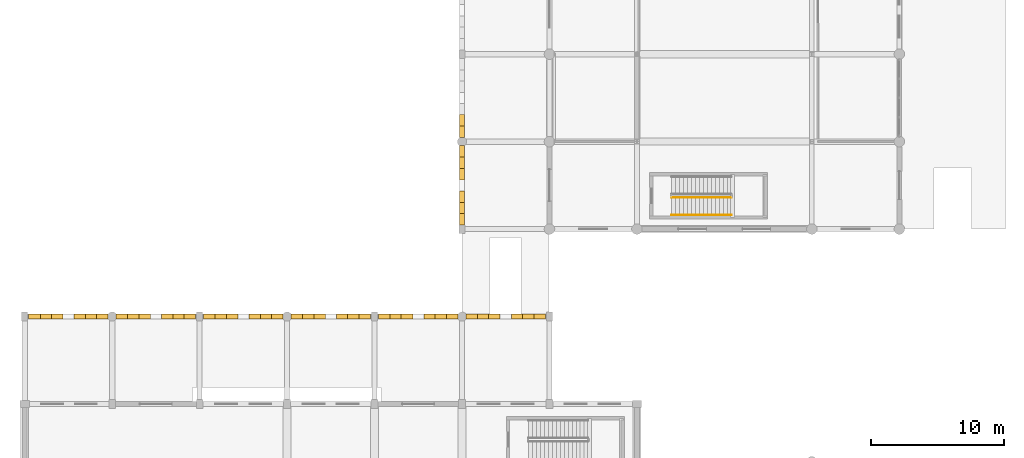
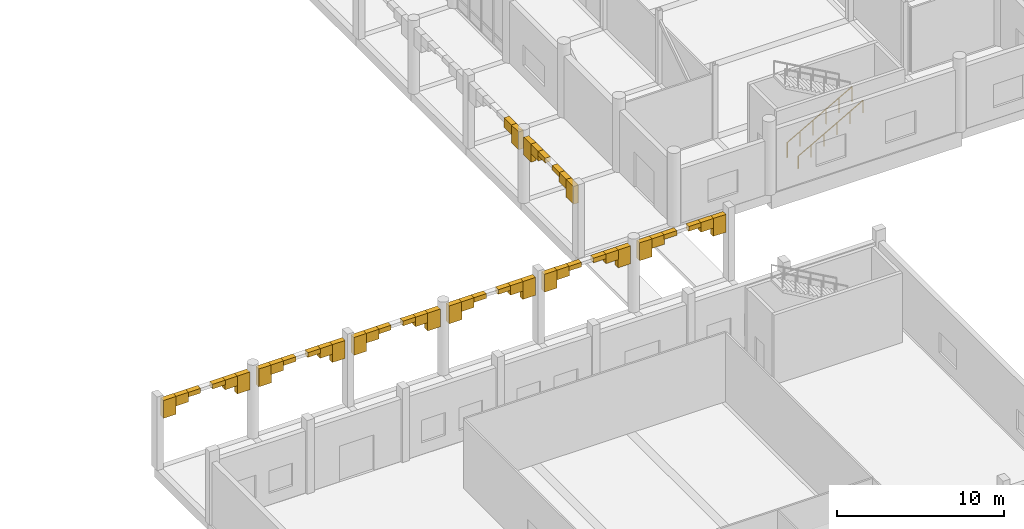
# One storey, part 59 of 72: 44 coverings, 2 railings.
"""IFC4 building model written with IfcOpenShell, lengths in metres."""

import ifcopenshell
import ifcopenshell.guid

model = None  # the IFC model being written
_history = None  # IfcOwnerHistory: only IFC2X3 demands one
_inside = {}  # id of a spatial element -> (the spatial element, [elements in it])
_under = {}  # id of a project, library or spatial element -> (it, [spatial elements below it])
_declared = {}  # id of a project -> (the project, [libraries it declares])
_typed = {}  # id of a type object -> (the type object, [elements of that type])
_made_of = {}  # id of a material, layer set ... -> (it, [elements and type objects made of it])


def new_model(schema):
    """Start an empty IFC model of exactly this schema.

    Asked for "IFC4X3", IfcOpenShell would pick the latest addendum, in which some entities
    have other attributes; the version numbers below select the first issue.
    IFC2X3 requires an IfcOwnerHistory on every rooted entity: one is made here for all.
    """
    global model, _history
    if schema == "IFC4X3":
        model = ifcopenshell.file(schema_version=(4, 3, 0, 0))
    else:
        model = ifcopenshell.file(schema=schema)
    _inside.clear()
    _under.clear()
    _declared.clear()
    _typed.clear()
    _made_of.clear()
    _history = None
    if model.schema == "IFC2X3":
        org = make("IfcOrganization", Name="unknown")
        user = make(
            "IfcPersonAndOrganization",
            ThePerson=make("IfcPerson", FamilyName="unknown"),
            TheOrganization=org,
        )
        app = make(
            "IfcApplication",
            ApplicationDeveloper=org,
            Version="unknown",
            ApplicationFullName="unknown",
            ApplicationIdentifier="unknown",
        )
        _history = make(
            "IfcOwnerHistory",
            OwningUser=user,
            OwningApplication=app,
            ChangeAction="ADDED",
            CreationDate=0,
        )
    return model


def make(cls, **values):
    """One entity of the class cls with the attributes given. An attribute that is None is left unset."""
    return model.create_entity(
        cls, **{name: value for name, value in values.items() if value is not None}
    )


def rooted(cls, **values):
    """An entity with a GlobalId (a new one), such as an element, a storey or a relation."""
    return make(cls, GlobalId=ifcopenshell.guid.new(), OwnerHistory=_history, **values)


def si_unit(unit_type, name, prefix=None):
    """IfcSIUnit, for example si_unit("LENGTHUNIT", "METRE", prefix="MILLI")."""
    return make("IfcSIUnit", UnitType=unit_type, Prefix=prefix, Name=name)


def assignment(units):
    """IfcUnitAssignment: the units of a project."""
    return None if units is None else make("IfcUnitAssignment", Units=units)


def point(xyz):
    """IfcCartesianPoint."""
    return None if xyz is None else make("IfcCartesianPoint", Coordinates=xyz)


def direction(xyz):
    """IfcDirection."""
    return None if xyz is None else make("IfcDirection", DirectionRatios=xyz)


def frame(location, z_axis=None, x_axis=None):
    """IfcAxis2Placement3D, a coordinate frame: its origin and axes. An axis left out is left unset."""
    return make(
        "IfcAxis2Placement3D",
        Location=point(location),
        Axis=direction(z_axis),
        RefDirection=direction(x_axis),
    )


def frame_2d(location, x_axis=None):
    """IfcAxis2Placement2D, a coordinate frame in the plane: its origin and x axis."""
    return make(
        "IfcAxis2Placement2D", Location=point(location), RefDirection=direction(x_axis)
    )


def origin():
    """The frame at (0, 0, 0) with its axes left unset."""
    return frame((0.0, 0.0, 0.0))


def origin_2d():
    """The frame at (0, 0) in the plane with its x axis left unset."""
    return frame_2d((0.0, 0.0))


def place(relative_to, where):
    """IfcLocalPlacement: puts the frame where relative to a parent placement (None: the world)."""
    return make(
        "IfcLocalPlacement", PlacementRelTo=relative_to, RelativePlacement=where
    )


def context(
    kind, dimensions, precision=None, world=None, true_north=None, identifier=None
):
    """IfcGeometricRepresentationContext, for example the 3D "Model" context."""
    return make(
        "IfcGeometricRepresentationContext",
        ContextIdentifier=identifier,
        ContextType=kind,
        CoordinateSpaceDimension=dimensions,
        Precision=precision,
        WorldCoordinateSystem=world,
        TrueNorth=true_north,
    )


def subcontext(parent, identifier, kind, view, scale=None):
    """IfcGeometricRepresentationSubContext, for example "Body" below "Model"."""
    return make(
        "IfcGeometricRepresentationSubContext",
        ContextIdentifier=identifier,
        ContextType=kind,
        ParentContext=parent,
        TargetScale=scale,
        TargetView=view,
    )


def project(units=None, contexts=None):
    """IfcProject with its units and contexts."""
    return rooted(
        "IfcProject",
        Name="project",
        RepresentationContexts=contexts,
        UnitsInContext=assignment(units),
    )


def spatial(cls, under=None, at=None, **own):
    """A site, building, storey or space (cls), placed at a placement, below another one or the project."""
    s = rooted(cls, ObjectPlacement=at, **own)
    if under is not None:
        _under.setdefault(under.id(), (under, []))[1].append(s)
    return s


def profile(cls, at=None, kind="AREA", **sizes):
    """A parametric profile (cls). Its sizes go by their IFC names, for example OverallWidth=200.0."""
    return make(cls, ProfileType=kind, Position=at, **sizes)


def rectangle(**sizes):
    """IfcRectangleProfileDef."""
    return profile("IfcRectangleProfileDef", **sizes)


def circle(**sizes):
    """IfcCircleProfileDef."""
    return profile("IfcCircleProfileDef", **sizes)


def extrude(swept, where, along, depth):
    """IfcExtrudedAreaSolid: the profile swept, set in the frame where, extruded along a direction by depth."""
    return make(
        "IfcExtrudedAreaSolid",
        SweptArea=swept,
        Position=where,
        ExtrudedDirection=direction(along),
        Depth=depth,
    )


def shape(context_of_items, identifier, shape_type, items):
    """IfcShapeRepresentation: the items that make up one representation, for example the "Body"."""
    return make(
        "IfcShapeRepresentation",
        ContextOfItems=context_of_items,
        RepresentationIdentifier=identifier,
        RepresentationType=shape_type,
        Items=items,
    )


def material(Name=None, Category=None):
    """IfcMaterial."""
    return make("IfcMaterial", Name=Name, Category=Category)


def layer(
    of_material, thickness, ventilated=None, Name=None, Category=None, Priority=None
):
    """IfcMaterialLayer: one layer of a wall or slab, of a material (None: an air gap)."""
    return make(
        "IfcMaterialLayer",
        Material=of_material,
        LayerThickness=thickness,
        IsVentilated=ventilated,
        Name=Name,
        Category=Category,
        Priority=Priority,
    )


def layer_set(layers, Name=None):
    """IfcMaterialLayerSet."""
    return make("IfcMaterialLayerSet", MaterialLayers=layers, LayerSetName=Name)


def made_of(thing, what):
    """Note that an element or type object is made of a material, layer set ...; save() writes the relation."""
    if what is not None:
        _made_of.setdefault(what.id(), (what, []))[1].append(thing)
    return thing


def type_object(cls, material=None, **own):
    """A type object (cls), such as IfcWallType, which elements share."""
    return made_of(rooted(cls, **own), material)


def element(
    cls,
    number,
    at=None,
    inside=None,
    cuts=None,
    type_object=None,
    material=None,
    context=None,
    identifier="Body",
    shape_type=None,
    held_by="IfcProductDefinitionShape",
    body=None,
    shapes=None,
    **own,
):
    """One element of the class cls, such as IfcWall. Its Tag is "e" and its number.

    at: its placement. inside: the storey or other place that contains it. cuts: it is an
    opening in that element (IfcRelVoidsElement). A single representation is given by context,
    identifier, shape_type and body (its items); several are given by shapes. held_by: the class
    of the entity that holds the representations. save() writes the other relations.
    """
    e = rooted(cls, Tag="e%d" % number, ObjectPlacement=at, **own)
    if body is not None:
        shapes = [shape(context, identifier, shape_type, body)]
    if shapes is not None:
        e.Representation = make(held_by, Representations=shapes)
    if inside is not None:
        _inside.setdefault(inside.id(), (inside, []))[1].append(e)
    if cuts is not None:
        rooted(
            "IfcRelVoidsElement", RelatingBuildingElement=cuts, RelatedOpeningElement=e
        )
    if type_object is not None:
        _typed.setdefault(type_object.id(), (type_object, []))[1].append(e)
    return made_of(e, material)


def aggregate(whole, parts):
    """IfcRelAggregates: a whole, such as a stair, and the parts it consists of."""
    return rooted("IfcRelAggregates", RelatingObject=whole, RelatedObjects=parts)


def save(model, path):
    """Write the relations noted so far, then the file.

    IfcRelAggregates (storeys below a building ...), IfcRelContainedInSpatialStructure (elements
    in a storey), IfcRelDefinesByType, IfcRelAssociatesMaterial and IfcRelDeclares: one each for
    every whole, place, type object, material and project.
    """
    for whole, parts in _under.values():
        aggregate(whole, parts)
    for where, things in _inside.values():
        rooted(
            "IfcRelContainedInSpatialStructure",
            RelatedElements=things,
            RelatingStructure=where,
        )
    for kind, things in _typed.values():
        rooted("IfcRelDefinesByType", RelatedObjects=things, RelatingType=kind)
    for what, things in _made_of.values():
        rooted("IfcRelAssociatesMaterial", RelatedObjects=things, RelatingMaterial=what)
    for by, libraries in _declared.values():
        rooted("IfcRelDeclares", RelatingContext=by, RelatedDefinitions=libraries)
    model.write(path)


model = new_model("IFC4")

# Units and contexts
model_context = context("Model", 3, precision=1e-05, world=origin(), true_north=direction((0.0, 1.0)))
body_context = subcontext(model_context, "Body", "Model", "MODEL_VIEW")
ifc_project = project(units=[si_unit("LENGTHUNIT", "METRE"), si_unit("AREAUNIT", "SQUARE_METRE"), si_unit("VOLUMEUNIT", "CUBIC_METRE"), si_unit("PLANEANGLEUNIT", "RADIAN"), si_unit("MASSUNIT", "GRAM", prefix="KILO")], contexts=[model_context])

# Site, building, storey
site_placement = place(None, origin())
site = spatial("IfcSite", under=ifc_project, at=site_placement, CompositionType="ELEMENT")
building_placement = place(site_placement, origin())
building = spatial("IfcBuilding", under=site, at=building_placement, Name="Dornvale Research Institute", CompositionType="ELEMENT")
storey_placement = place(building_placement, origin())
storey = spatial("IfcBuildingStorey", under=building, at=storey_placement, Name="L00", CompositionType="ELEMENT", Elevation=0.0)

# Coverings
ifc_material_1 = material(Name="Architectural Glazed Terracotta Voussoir Cladding", Category="masonry")
ifc_layer_1 = layer(ifc_material_1, 0.360107421875)
ifc_layer_set_1 = layer_set([ifc_layer_1], Name="Architectural Glazed Terracotta Voussoir Cladding")
covering_type = type_object("IfcCoveringType", Name="Covering_Arcade_ParabolicArch", PredefinedType="CLADDING", material=ifc_layer_set_1)
covering_1_placement = place(storey_placement, frame((0.74560546875, 33.0, 3.57275390625), z_axis=(0.0, 0.0, 1.0), x_axis=(1.0, 0.0, 0.0)))
element("IfcCovering", 1, at=covering_1_placement, inside=storey, type_object=covering_type, Name="Dornvale Square parabolic colonnade arch segment #1", PredefinedType="CLADDING", context=body_context, shape_type="SweptSolid", body=[
    extrude(rectangle(XDim=0.871337890625, YDim=0.360107421875, at=origin_2d()), origin(), (0.0, 0.0, 1.0), 1.307373046875),
])
covering_2_placement = place(storey_placement, frame((1.59716796875, 33.0, 4.1767578125), z_axis=(0.0, 0.0, 1.0), x_axis=(1.0, 0.0, 0.0)))
element("IfcCovering", 2, at=covering_2_placement, inside=storey, type_object=covering_type, Name="Dornvale Square parabolic colonnade arch segment #2", PredefinedType="CLADDING", context=body_context, shape_type="SweptSolid", body=[
    extrude(rectangle(XDim=0.871337890625, YDim=0.360107421875, at=origin_2d()), origin(), (0.0, 0.0, 1.0), 0.703369140625),
])
for number, where, z_axis, x_axis, name in (
    (3, (2.448486328125, 33.0, 4.539306640625), (0.0, 0.0, 1.0), (1.0, 0.0, 0.0), "Dornvale Square parabolic colonnade arch segment #3"),
    (4, (4.1513671875, 33.0, 4.539306640625), (0.0, 0.0, 1.0), (1.0, 0.0, 0.0), "Dornvale Square parabolic colonnade arch segment #5"),
):
    element("IfcCovering", number, at=place(storey_placement, frame(where, z_axis=z_axis, x_axis=x_axis)), inside=storey, type_object=covering_type, Name=name, PredefinedType="CLADDING", context=body_context, shape_type="SweptSolid", body=[
        extrude(rectangle(XDim=0.871337890625, YDim=0.360107421875, at=origin_2d()), origin(), (0.0, 0.0, 1.0), 0.3408203125),
    ])
covering_3_placement = place(storey_placement, frame((5.0029296875, 33.0, 4.1767578125), z_axis=(0.0, 0.0, 1.0), x_axis=(1.0, 0.0, 0.0)))
element("IfcCovering", 5, at=covering_3_placement, inside=storey, type_object=covering_type, Name="Dornvale Square parabolic colonnade arch segment #6", PredefinedType="CLADDING", context=body_context, shape_type="SweptSolid", body=[
    extrude(rectangle(XDim=0.871337890625, YDim=0.360107421875, at=origin_2d()), origin(), (0.0, 0.0, 1.0), 0.703369140625),
])
for number, where, z_axis, x_axis, name in (
    (6, (5.854248046875, 33.0, 3.57275390625), (0.0, 0.0, 1.0), (1.0, 0.0, 0.0), "Dornvale Square parabolic colonnade arch segment #7"),
    (7, (7.345703125, 33.0, 3.57275390625), (0.0, 0.0, 1.0), (1.0, 0.0, 0.0), "Dornvale Square parabolic colonnade arch segment #15"),
):
    element("IfcCovering", number, at=place(storey_placement, frame(where, z_axis=z_axis, x_axis=x_axis)), inside=storey, type_object=covering_type, Name=name, PredefinedType="CLADDING", context=body_context, shape_type="SweptSolid", body=[
        extrude(rectangle(XDim=0.871337890625, YDim=0.360107421875, at=origin_2d()), origin(), (0.0, 0.0, 1.0), 1.307373046875),
    ])
covering_4_placement = place(storey_placement, frame((8.197021484375, 33.0, 4.1767578125), z_axis=(0.0, 0.0, 1.0), x_axis=(1.0, 0.0, 0.0)))
element("IfcCovering", 8, at=covering_4_placement, inside=storey, type_object=covering_type, Name="Dornvale Square parabolic colonnade arch segment #16", PredefinedType="CLADDING", context=body_context, shape_type="SweptSolid", body=[
    extrude(rectangle(XDim=0.871337890625, YDim=0.360107421875, at=origin_2d()), origin(), (0.0, 0.0, 1.0), 0.703369140625),
])
for number, where, z_axis, x_axis, name in (
    (9, (9.048583984375, 33.0, 4.539306640625), (0.0, 0.0, 1.0), (1.0, 0.0, 0.0), "Dornvale Square parabolic colonnade arch segment #17"),
    (10, (10.75146484375, 33.0, 4.539306640625), (0.0, 0.0, 1.0), (1.0, 0.0, 0.0), "Dornvale Square parabolic colonnade arch segment #19"),
):
    element("IfcCovering", number, at=place(storey_placement, frame(where, z_axis=z_axis, x_axis=x_axis)), inside=storey, type_object=covering_type, Name=name, PredefinedType="CLADDING", context=body_context, shape_type="SweptSolid", body=[
        extrude(rectangle(XDim=0.871337890625, YDim=0.360107421875, at=origin_2d()), origin(), (0.0, 0.0, 1.0), 0.3408203125),
    ])
covering_5_placement = place(storey_placement, frame((11.602783203125, 33.0, 4.1767578125), z_axis=(0.0, 0.0, 1.0), x_axis=(1.0, 0.0, 0.0)))
element("IfcCovering", 11, at=covering_5_placement, inside=storey, type_object=covering_type, Name="Dornvale Square parabolic colonnade arch segment #20", PredefinedType="CLADDING", context=body_context, shape_type="SweptSolid", body=[
    extrude(rectangle(XDim=0.871337890625, YDim=0.360107421875, at=origin_2d()), origin(), (0.0, 0.0, 1.0), 0.703369140625),
])
for number, where, z_axis, x_axis, name in (
    (12, (12.454345703125, 33.0, 3.57275390625), (0.0, 0.0, 1.0), (1.0, 0.0, 0.0), "Dornvale Square parabolic colonnade arch segment #21"),
    (13, (13.94580078125, 33.0, 3.57275390625), (0.0, 0.0, 1.0), (1.0, 0.0, 0.0), "Dornvale Square parabolic colonnade arch segment #29"),
):
    element("IfcCovering", number, at=place(storey_placement, frame(where, z_axis=z_axis, x_axis=x_axis)), inside=storey, type_object=covering_type, Name=name, PredefinedType="CLADDING", context=body_context, shape_type="SweptSolid", body=[
        extrude(rectangle(XDim=0.871337890625, YDim=0.360107421875, at=origin_2d()), origin(), (0.0, 0.0, 1.0), 1.307373046875),
    ])
covering_6_placement = place(storey_placement, frame((14.797119140625, 33.0, 4.1767578125), z_axis=(0.0, 0.0, 1.0), x_axis=(1.0, 0.0, 0.0)))
element("IfcCovering", 14, at=covering_6_placement, inside=storey, type_object=covering_type, Name="Dornvale Square parabolic colonnade arch segment #30", PredefinedType="CLADDING", context=body_context, shape_type="SweptSolid", body=[
    extrude(rectangle(XDim=0.871337890625, YDim=0.360107421875, at=origin_2d()), origin(), (0.0, 0.0, 1.0), 0.703369140625),
])
for number, where, z_axis, x_axis, name in (
    (15, (15.648681640625, 33.0, 4.539306640625), (0.0, 0.0, 1.0), (1.0, 0.0, 0.0), "Dornvale Square parabolic colonnade arch segment #31"),
    (16, (17.351318359375, 33.0, 4.539306640625), (0.0, 0.0, 1.0), (1.0, 0.0, 0.0), "Dornvale Square parabolic colonnade arch segment #33"),
):
    element("IfcCovering", number, at=place(storey_placement, frame(where, z_axis=z_axis, x_axis=x_axis)), inside=storey, type_object=covering_type, Name=name, PredefinedType="CLADDING", context=body_context, shape_type="SweptSolid", body=[
        extrude(rectangle(XDim=0.871337890625, YDim=0.360107421875, at=origin_2d()), origin(), (0.0, 0.0, 1.0), 0.3408203125),
    ])
covering_7_placement = place(storey_placement, frame((18.202880859375, 33.0, 4.1767578125), z_axis=(0.0, 0.0, 1.0), x_axis=(1.0, 0.0, 0.0)))
element("IfcCovering", 17, at=covering_7_placement, inside=storey, type_object=covering_type, Name="Dornvale Square parabolic colonnade arch segment #34", PredefinedType="CLADDING", context=body_context, shape_type="SweptSolid", body=[
    extrude(rectangle(XDim=0.871337890625, YDim=0.360107421875, at=origin_2d()), origin(), (0.0, 0.0, 1.0), 0.703369140625),
])
for number, where, z_axis, x_axis, name in (
    (18, (19.05419921875, 33.0, 3.57275390625), (0.0, 0.0, 1.0), (1.0, 0.0, 0.0), "Dornvale Square parabolic colonnade arch segment #35"),
    (19, (20.545654296875, 33.0, 3.57275390625), (0.0, 0.0, 1.0), (1.0, 0.0, 0.0), "Dornvale Square parabolic colonnade arch segment #43"),
):
    element("IfcCovering", number, at=place(storey_placement, frame(where, z_axis=z_axis, x_axis=x_axis)), inside=storey, type_object=covering_type, Name=name, PredefinedType="CLADDING", context=body_context, shape_type="SweptSolid", body=[
        extrude(rectangle(XDim=0.871337890625, YDim=0.360107421875, at=origin_2d()), origin(), (0.0, 0.0, 1.0), 1.307373046875),
    ])
covering_8_placement = place(storey_placement, frame((21.397216796875, 33.0, 4.1767578125), z_axis=(0.0, 0.0, 1.0), x_axis=(1.0, 0.0, 0.0)))
element("IfcCovering", 20, at=covering_8_placement, inside=storey, type_object=covering_type, Name="Dornvale Square parabolic colonnade arch segment #44", PredefinedType="CLADDING", context=body_context, shape_type="SweptSolid", body=[
    extrude(rectangle(XDim=0.871337890625, YDim=0.360107421875, at=origin_2d()), origin(), (0.0, 0.0, 1.0), 0.703369140625),
])
for number, where, z_axis, x_axis, name in (
    (21, (22.24853515625, 33.0, 4.539306640625), (0.0, 0.0, 1.0), (1.0, 0.0, 0.0), "Dornvale Square parabolic colonnade arch segment #45"),
    (22, (23.951416015625, 33.0, 4.539306640625), (0.0, 0.0, 1.0), (1.0, 0.0, 0.0), "Dornvale Square parabolic colonnade arch segment #47"),
):
    element("IfcCovering", number, at=place(storey_placement, frame(where, z_axis=z_axis, x_axis=x_axis)), inside=storey, type_object=covering_type, Name=name, PredefinedType="CLADDING", context=body_context, shape_type="SweptSolid", body=[
        extrude(rectangle(XDim=0.871337890625, YDim=0.360107421875, at=origin_2d()), origin(), (0.0, 0.0, 1.0), 0.3408203125),
    ])
covering_9_placement = place(storey_placement, frame((24.802978515625, 33.0, 4.1767578125), z_axis=(0.0, 0.0, 1.0), x_axis=(1.0, 0.0, 0.0)))
element("IfcCovering", 23, at=covering_9_placement, inside=storey, type_object=covering_type, Name="Dornvale Square parabolic colonnade arch segment #48", PredefinedType="CLADDING", context=body_context, shape_type="SweptSolid", body=[
    extrude(rectangle(XDim=0.871337890625, YDim=0.360107421875, at=origin_2d()), origin(), (0.0, 0.0, 1.0), 0.703369140625),
])
for number, where, z_axis, x_axis, name in (
    (24, (25.654296875, 33.0, 3.57275390625), (0.0, 0.0, 1.0), (1.0, 0.0, 0.0), "Dornvale Square parabolic colonnade arch segment #49"),
    (25, (27.145751953125, 33.0, 3.57275390625), (0.0, 0.0, 1.0), (1.0, 0.0, 0.0), "Dornvale Square parabolic colonnade arch segment #57"),
):
    element("IfcCovering", number, at=place(storey_placement, frame(where, z_axis=z_axis, x_axis=x_axis)), inside=storey, type_object=covering_type, Name=name, PredefinedType="CLADDING", context=body_context, shape_type="SweptSolid", body=[
        extrude(rectangle(XDim=0.871337890625, YDim=0.360107421875, at=origin_2d()), origin(), (0.0, 0.0, 1.0), 1.307373046875),
    ])
covering_10_placement = place(storey_placement, frame((27.9970703125, 33.0, 4.1767578125), z_axis=(0.0, 0.0, 1.0), x_axis=(1.0, 0.0, 0.0)))
element("IfcCovering", 26, at=covering_10_placement, inside=storey, type_object=covering_type, Name="Dornvale Square parabolic colonnade arch segment #58", PredefinedType="CLADDING", context=body_context, shape_type="SweptSolid", body=[
    extrude(rectangle(XDim=0.871337890625, YDim=0.360107421875, at=origin_2d()), origin(), (0.0, 0.0, 1.0), 0.703369140625),
])
for number, where, z_axis, x_axis, name in (
    (27, (28.8486328125, 33.0, 4.539306640625), (0.0, 0.0, 1.0), (1.0, 0.0, 0.0), "Dornvale Square parabolic colonnade arch segment #59"),
    (28, (30.551513671875, 33.0, 4.539306640625), (0.0, 0.0, 1.0), (1.0, 0.0, 0.0), "Dornvale Square parabolic colonnade arch segment #61"),
):
    element("IfcCovering", number, at=place(storey_placement, frame(where, z_axis=z_axis, x_axis=x_axis)), inside=storey, type_object=covering_type, Name=name, PredefinedType="CLADDING", context=body_context, shape_type="SweptSolid", body=[
        extrude(rectangle(XDim=0.871337890625, YDim=0.360107421875, at=origin_2d()), origin(), (0.0, 0.0, 1.0), 0.3408203125),
    ])
covering_11_placement = place(storey_placement, frame((31.40283203125, 33.0, 4.1767578125), z_axis=(0.0, 0.0, 1.0), x_axis=(1.0, 0.0, 0.0)))
element("IfcCovering", 29, at=covering_11_placement, inside=storey, type_object=covering_type, Name="Dornvale Square parabolic colonnade arch segment #62", PredefinedType="CLADDING", context=body_context, shape_type="SweptSolid", body=[
    extrude(rectangle(XDim=0.871337890625, YDim=0.360107421875, at=origin_2d()), origin(), (0.0, 0.0, 1.0), 0.703369140625),
])
for number, where, z_axis, x_axis, name in (
    (30, (32.25439453125, 33.0, 3.57275390625), (0.0, 0.0, 1.0), (1.0, 0.0, 0.0), "Dornvale Square parabolic colonnade arch segment #63"),
    (31, (33.74560546875, 33.0, 3.57275390625), (0.0, 0.0, 1.0), (1.0, 0.0, 0.0), "Dornvale Square parabolic colonnade arch segment #71"),
):
    element("IfcCovering", number, at=place(storey_placement, frame(where, z_axis=z_axis, x_axis=x_axis)), inside=storey, type_object=covering_type, Name=name, PredefinedType="CLADDING", context=body_context, shape_type="SweptSolid", body=[
        extrude(rectangle(XDim=0.871337890625, YDim=0.360107421875, at=origin_2d()), origin(), (0.0, 0.0, 1.0), 1.307373046875),
    ])
covering_12_placement = place(storey_placement, frame((34.59716796875, 33.0, 4.1767578125), z_axis=(0.0, 0.0, 1.0), x_axis=(1.0, 0.0, 0.0)))
element("IfcCovering", 32, at=covering_12_placement, inside=storey, type_object=covering_type, Name="Dornvale Square parabolic colonnade arch segment #72", PredefinedType="CLADDING", context=body_context, shape_type="SweptSolid", body=[
    extrude(rectangle(XDim=0.871337890625, YDim=0.360107421875, at=origin_2d()), origin(), (0.0, 0.0, 1.0), 0.703369140625),
])
for number, where, z_axis, x_axis, name in (
    (33, (35.448486328125, 33.0, 4.539306640625), (0.0, 0.0, 1.0), (1.0, 0.0, 0.0), "Dornvale Square parabolic colonnade arch segment #73"),
    (34, (37.1513671875, 33.0, 4.539306640625), (0.0, 0.0, 1.0), (1.0, 0.0, 0.0), "Dornvale Square parabolic colonnade arch segment #75"),
):
    element("IfcCovering", number, at=place(storey_placement, frame(where, z_axis=z_axis, x_axis=x_axis)), inside=storey, type_object=covering_type, Name=name, PredefinedType="CLADDING", context=body_context, shape_type="SweptSolid", body=[
        extrude(rectangle(XDim=0.871337890625, YDim=0.360107421875, at=origin_2d()), origin(), (0.0, 0.0, 1.0), 0.3408203125),
    ])
covering_13_placement = place(storey_placement, frame((38.0029296875, 33.0, 4.1767578125), z_axis=(0.0, 0.0, 1.0), x_axis=(1.0, 0.0, 0.0)))
element("IfcCovering", 35, at=covering_13_placement, inside=storey, type_object=covering_type, Name="Dornvale Square parabolic colonnade arch segment #76", PredefinedType="CLADDING", context=body_context, shape_type="SweptSolid", body=[
    extrude(rectangle(XDim=0.871337890625, YDim=0.360107421875, at=origin_2d()), origin(), (0.0, 0.0, 1.0), 0.703369140625),
])
for number, where, z_axis, x_axis, name in (
    (36, (38.854248046875, 33.0, 3.57275390625), (0.0, 0.0, 1.0), (1.0, 0.0, 0.0), "Dornvale Square parabolic colonnade arch segment #77"),
    (37, (33.0, 40.345703125, 3.57275390625), (0.0, 0.0, 1.0), (0.0, 1.0, 0.0), "Dornvale Square parabolic colonnade arch segment #85"),
):
    element("IfcCovering", number, at=place(storey_placement, frame(where, z_axis=z_axis, x_axis=x_axis)), inside=storey, type_object=covering_type, Name=name, PredefinedType="CLADDING", context=body_context, shape_type="SweptSolid", body=[
        extrude(rectangle(XDim=0.871337890625, YDim=0.360107421875, at=origin_2d()), origin(), (0.0, 0.0, 1.0), 1.307373046875),
    ])
covering_14_placement = place(storey_placement, frame((33.0, 41.197021484375, 4.1767578125), z_axis=(0.0, 0.0, 1.0), x_axis=(0.0, 1.0, 0.0)))
element("IfcCovering", 38, at=covering_14_placement, inside=storey, type_object=covering_type, Name="Dornvale Square parabolic colonnade arch segment #86", PredefinedType="CLADDING", context=body_context, shape_type="SweptSolid", body=[
    extrude(rectangle(XDim=0.871337890625, YDim=0.360107421875, at=origin_2d()), origin(), (0.0, 0.0, 1.0), 0.703369140625),
])
for number, where, z_axis, x_axis, name in (
    (39, (33.0, 42.048583984375, 4.539306640625), (0.0, 0.0, 1.0), (0.0, 1.0, 0.0), "Dornvale Square parabolic colonnade arch segment #87"),
    (40, (33.0, 43.75146484375, 4.539306640625), (0.0, 0.0, 1.0), (0.0, 1.0, 0.0), "Dornvale Square parabolic colonnade arch segment #89"),
):
    element("IfcCovering", number, at=place(storey_placement, frame(where, z_axis=z_axis, x_axis=x_axis)), inside=storey, type_object=covering_type, Name=name, PredefinedType="CLADDING", context=body_context, shape_type="SweptSolid", body=[
        extrude(rectangle(XDim=0.871337890625, YDim=0.360107421875, at=origin_2d()), origin(), (0.0, 0.0, 1.0), 0.3408203125),
    ])
covering_15_placement = place(storey_placement, frame((33.0, 44.602783203125, 4.1767578125), z_axis=(0.0, 0.0, 1.0), x_axis=(0.0, 1.0, 0.0)))
element("IfcCovering", 41, at=covering_15_placement, inside=storey, type_object=covering_type, Name="Dornvale Square parabolic colonnade arch segment #90", PredefinedType="CLADDING", context=body_context, shape_type="SweptSolid", body=[
    extrude(rectangle(XDim=0.871337890625, YDim=0.360107421875, at=origin_2d()), origin(), (0.0, 0.0, 1.0), 0.703369140625),
])
for number, where, z_axis, x_axis, name in (
    (42, (33.0, 45.454345703125, 3.57275390625), (0.0, 0.0, 1.0), (0.0, 1.0, 0.0), "Dornvale Square parabolic colonnade arch segment #91"),
    (43, (33.0, 46.94580078125, 3.57275390625), (0.0, 0.0, 1.0), (0.0, 1.0, 0.0), "Dornvale Square parabolic colonnade arch segment #92"),
):
    element("IfcCovering", number, at=place(storey_placement, frame(where, z_axis=z_axis, x_axis=x_axis)), inside=storey, type_object=covering_type, Name=name, PredefinedType="CLADDING", context=body_context, shape_type="SweptSolid", body=[
        extrude(rectangle(XDim=0.871337890625, YDim=0.360107421875, at=origin_2d()), origin(), (0.0, 0.0, 1.0), 1.307373046875),
    ])
covering_16_placement = place(storey_placement, frame((33.0, 47.797119140625, 4.1767578125), z_axis=(0.0, 0.0, 1.0), x_axis=(0.0, 1.0, 0.0)))
element("IfcCovering", 44, at=covering_16_placement, inside=storey, type_object=covering_type, Name="Dornvale Square parabolic colonnade arch segment #93", PredefinedType="CLADDING", context=body_context, shape_type="SweptSolid", body=[
    extrude(rectangle(XDim=0.871337890625, YDim=0.360107421875, at=origin_2d()), origin(), (0.0, 0.0, 1.0), 0.703369140625),
])

# Railings
ifc_material_2 = material(Name="Galvanized Painted Tubular Steel Stair Rail", Category="steel")
ifc_layer_2 = layer(ifc_material_2, 0.050048828125)
ifc_layer_set_2 = layer_set([ifc_layer_2], Name="Galvanized Painted Tubular Steel Stair Rail")
railing_type_1 = type_object("IfcRailingType", Name="Railing_Stair_Guard_1100", PredefinedType="GUARDRAIL", material=ifc_layer_set_2)
railing_1_placement = place(storey_placement, frame((48.820068359375, 41.969970703125, 0.168701171875)))
element("IfcRailing", 45, at=railing_1_placement, inside=storey, type_object=railing_type_1, Name="L00 ST-7 stair guard 1", PredefinedType="GUARDRAIL", context=body_context, shape_type="SweptSolid", body=[
    extrude(circle(Radius=0.02392578125, at=origin_2d()), frame((0.0, 0.0, 1.076171875), z_axis=(0.871575537125, 0.0, 0.490261239633), x_axis=(0.0, 1.0, 0.0)), (0.0, 0.0, 1.0), 5.1630859375),
    extrude(circle(Radius=0.02099609375, at=origin_2d()), origin(), (0.0, 0.0, 1.0), 1.052001953125),
    extrude(circle(Radius=0.02099609375, at=origin_2d()), frame((0.89990234375, 0.0, 0.50634765625)), (0.0, 0.0, 1.0), 1.052001953125),
    extrude(circle(Radius=0.02099609375, at=origin_2d()), frame((1.800048828125, 0.0, 1.012451171875)), (0.0, 0.0, 1.0), 1.052001953125),
    extrude(circle(Radius=0.02099609375, at=origin_2d()), frame((2.699951171875, 0.0, 1.518798828125)), (0.0, 0.0, 1.0), 1.052001953125),
    extrude(circle(Radius=0.02099609375, at=origin_2d()), frame((3.60009765625, 0.0, 2.02490234375)), (0.0, 0.0, 1.0), 1.052001953125),
    extrude(circle(Radius=0.02099609375, at=origin_2d()), frame((4.5, 0.0, 2.53125)), (0.0, 0.0, 1.0), 1.052001953125),
])
ifc_material_3 = material(Name="Galvanized Painted Tubular Steel Stair Rail", Category="steel")
ifc_layer_3 = layer(ifc_material_3, 0.044921875)
ifc_layer_set_3 = layer_set([ifc_layer_3], Name="Galvanized Painted Tubular Steel Stair Rail")
railing_type_2 = type_object("IfcRailingType", Name="Railing_Stair_Handrail_900", PredefinedType="HANDRAIL", material=ifc_layer_set_3)
railing_2_placement = place(storey_placement, frame((48.820068359375, 40.64990234375, 0.168701171875)))
element("IfcRailing", 46, at=railing_2_placement, inside=storey, type_object=railing_type_2, Name="L00 ST-7 stair handrail 1", PredefinedType="HANDRAIL", context=body_context, shape_type="SweptSolid", body=[
    extrude(circle(Radius=0.02392578125, at=origin_2d()), frame((0.0, 0.0, 0.8759765625), z_axis=(0.871575537125, 0.0, 0.490261239633), x_axis=(0.0, 1.0, 0.0)), (0.0, 0.0, 1.0), 5.1630859375),
    extrude(circle(Radius=0.02099609375, at=origin_2d()), origin(), (0.0, 0.0, 1.0), 0.851806640625),
    extrude(circle(Radius=0.02099609375, at=origin_2d()), frame((0.89990234375, 0.0, 0.50634765625)), (0.0, 0.0, 1.0), 0.851806640625),
    extrude(circle(Radius=0.02099609375, at=origin_2d()), frame((1.800048828125, 0.0, 1.012451171875)), (0.0, 0.0, 1.0), 0.851806640625),
    extrude(circle(Radius=0.02099609375, at=origin_2d()), frame((2.699951171875, 0.0, 1.518798828125)), (0.0, 0.0, 1.0), 0.851806640625),
    extrude(circle(Radius=0.02099609375, at=origin_2d()), frame((3.60009765625, 0.0, 2.02490234375)), (0.0, 0.0, 1.0), 0.851806640625),
    extrude(circle(Radius=0.02099609375, at=origin_2d()), frame((4.5, 0.0, 2.53125)), (0.0, 0.0, 1.0), 0.851806640625),
])

save(model, "model.ifc")
